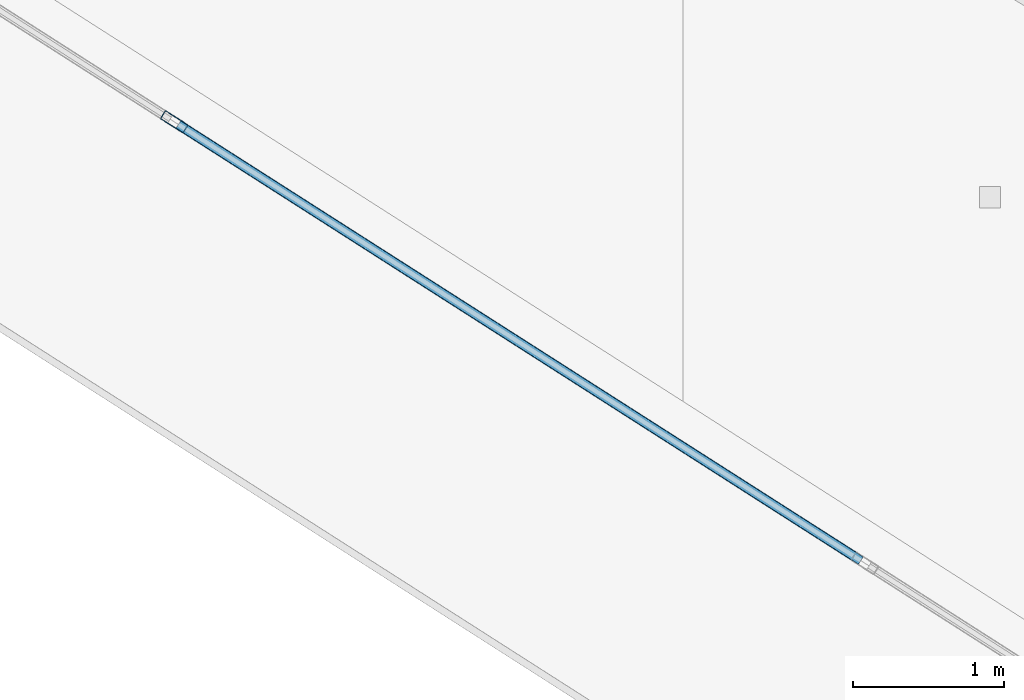
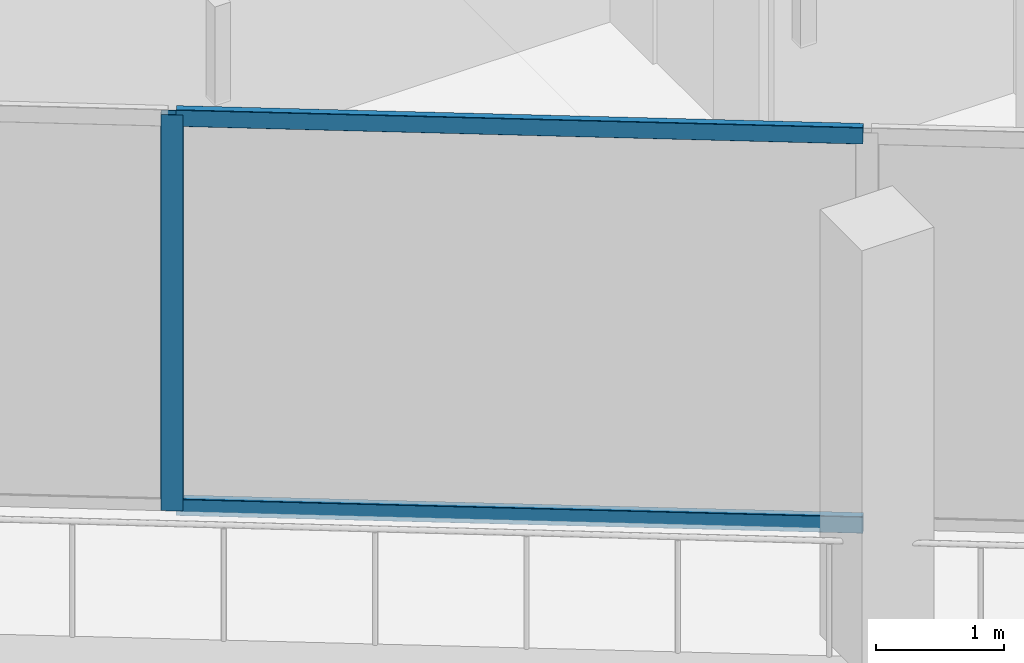
# One storey, part 5 of 42: 3 members, 1 element without a shape of its own.
"""IFC4 building model written with IfcOpenShell, lengths in metres."""

from ifc_helpers import new_model, si_unit, direction, frame, origin, origin_2d, place, context, subcontext, project, spatial, hollow_rectangle, extrude, material, layer, layer_set, material_profile, profile_set, type_object, element, aggregate, save


model = new_model("IFC4")

# Units and contexts
model_context = context("Model", 3, precision=1e-05, world=origin(), true_north=direction((0.0, 1.0)))
body_context = subcontext(model_context, "Body", "Model", "MODEL_VIEW")
ifc_project = project(units=[si_unit("LENGTHUNIT", "METRE"), si_unit("AREAUNIT", "SQUARE_METRE"), si_unit("VOLUMEUNIT", "CUBIC_METRE"), si_unit("PLANEANGLEUNIT", "RADIAN"), si_unit("MASSUNIT", "GRAM", prefix="KILO")], contexts=[model_context])

# Site, building, storey
site_placement = place(None, origin())
site = spatial("IfcSite", under=ifc_project, at=site_placement, CompositionType="ELEMENT")
building_placement = place(site_placement, origin())
building = spatial("IfcBuilding", under=site, at=building_placement, Name="Qorvath Tower", CompositionType="ELEMENT")
storey_placement = place(building_placement, frame((0.0, 0.0, 117.89990234375)))
storey = spatial("IfcBuildingStorey", under=building, at=storey_placement, Name="L26", CompositionType="ELEMENT", Elevation=117.89990234375)

# Curtain wall, members
ifc_material_1 = material(Name="Anodised aluminium and triple low-E glass", Category="aluminium")
ifc_layer = layer(ifc_material_1, 0.179931640625)
ifc_layer_set = layer_set([ifc_layer], Name="CW-SYS-2")
curtain_wall_type = type_object("IfcCurtainWallType", Name="CW-SYS-2", PredefinedType="NOTDEFINED", material=ifc_layer_set)
curtain_wall_placement = place(storey_placement, origin())
curtain_wall = element("IfcCurtainWall", 1, at=curtain_wall_placement, inside=storey, type_object=curtain_wall_type, Name="Curtain Wall CW-2 CW-T-L26-2.1", PredefinedType="NOTDEFINED")
ifc_material_2 = material(Name="Anodised aluminium 6063-T6", Category="aluminium")
ifc_material_profile_1 = material_profile(ifc_material_2, hollow_rectangle(XDim=0.06494140625, YDim=0.179931640625, WallThickness=0.00341796875, InnerFilletRadius=0.00341796875, OuterFilletRadius=0.007080078125, at=origin_2d()), Name="CWM 180x65")
ifc_profile_set_1 = profile_set([ifc_material_profile_1], Name="Anodised aluminium 6063-T6")
member_type_1 = type_object("IfcMemberType", Name="CWM-180", PredefinedType="MULLION", material=ifc_profile_set_1)
member_1_placement = place(storey_placement, frame((-44.173095703125, -12.614990234375, 0.0), z_axis=(0.0, 0.0, 1.0), x_axis=(0.538534177075, 0.842603667285, 0.0)))
member_1 = element("IfcMember", 2, at=member_1_placement, type_object=member_type_1, Name="CW-2 mullion 4", PredefinedType="MULLION", context=body_context, shape_type="SweptSolid", body=[
    extrude(hollow_rectangle(XDim=0.06494140625, YDim=0.179931640625, WallThickness=0.00341796875, InnerFilletRadius=0.00341796875, OuterFilletRadius=0.007080078125, at=origin_2d()), origin(), (0.0, 0.0, 1.0), 3.77001953125),
])
ifc_material_3 = material(Name="Anodised aluminium 6063-T6", Category="aluminium")
ifc_material_profile_2 = material_profile(ifc_material_3, hollow_rectangle(XDim=0.06494140625, YDim=0.159912109375, WallThickness=0.00341796875, InnerFilletRadius=0.00341796875, OuterFilletRadius=0.007080078125, at=origin_2d()), Name="CWT 160x65")
ifc_profile_set_2 = profile_set([ifc_material_profile_2], Name="Anodised aluminium 6063-T6")
member_type_2 = type_object("IfcMemberType", Name="CWT-160", PredefinedType="USERDEFINED", material=ifc_profile_set_2)
member_2_placement = place(storey_placement, frame((-44.145751953125, -12.632568359375, 0.032470703125), z_axis=(0.842621067422, -0.538506951428, 0.0), x_axis=(0.538506951428, 0.842621067422, 0.0)))
member_2 = element("IfcMember", 3, at=member_2_placement, type_object=member_type_2, Name="CW-2 transom 4.1", ObjectType="TRANSOM", PredefinedType="USERDEFINED", context=body_context, shape_type="SweptSolid", body=[
    extrude(hollow_rectangle(XDim=0.06494140625, YDim=0.159912109375, WallThickness=0.00341796875, InnerFilletRadius=0.00341796875, OuterFilletRadius=0.007080078125, at=origin_2d()), origin(), (0.0, 0.0, 1.0), 5.361083984375),
])
member_3_placement = place(storey_placement, frame((-44.145751953125, -12.632568359375, 3.737548828125), z_axis=(0.842621067422, -0.538506951428, 0.0), x_axis=(0.538506951428, 0.842621067422, 0.0)))
member_3 = element("IfcMember", 4, at=member_3_placement, type_object=member_type_2, Name="CW-2 transom 4.2", ObjectType="TRANSOM", PredefinedType="USERDEFINED", context=body_context, shape_type="SweptSolid", body=[
    extrude(hollow_rectangle(XDim=0.06494140625, YDim=0.159912109375, WallThickness=0.00341796875, InnerFilletRadius=0.00341796875, OuterFilletRadius=0.007080078125, at=origin_2d()), origin(), (0.0, 0.0, 1.0), 5.361083984375),
])
aggregate(curtain_wall, [member_1, member_2, member_3])

save(model, "model.ifc")
